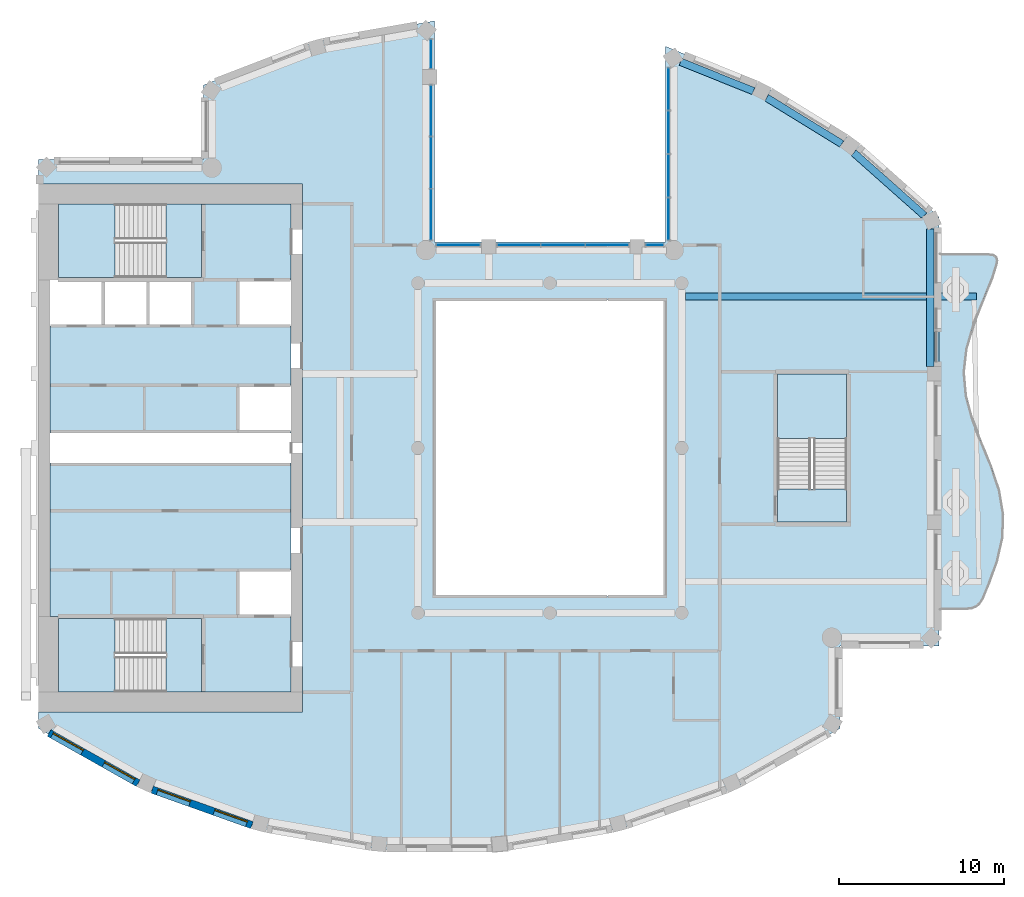
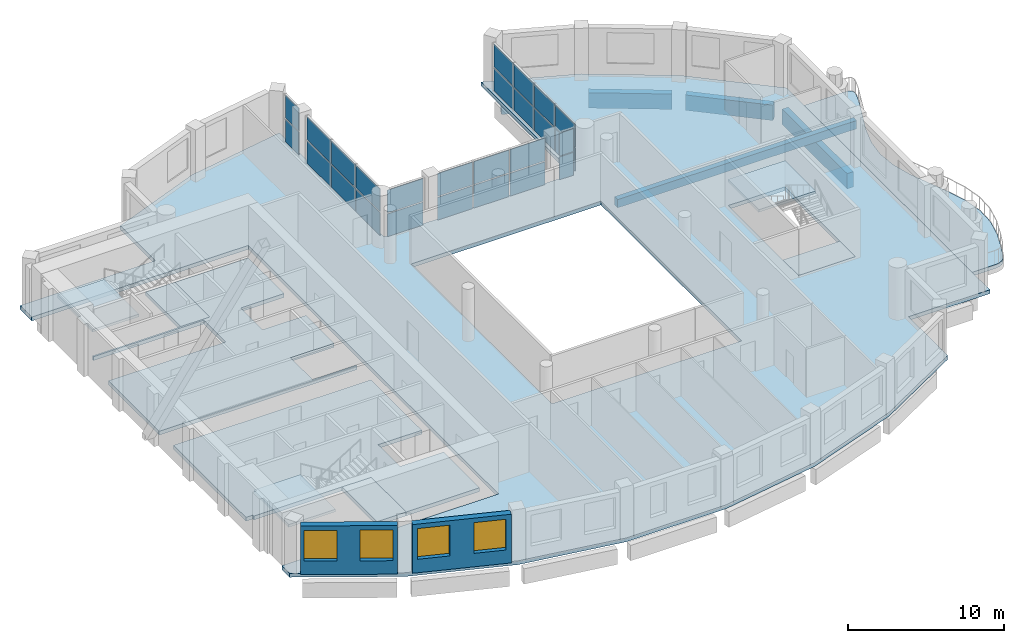
# One storey, part 3 of 15: 26 plates, 10 slabs, 5 beams, 4 windows, 2 walls, 4 openings, 9 elements without a shape of their own.
"""IFC4 building model written with IfcOpenShell, lengths in metres."""

import ifcopenshell
import ifcopenshell.guid

model = None  # the IFC model being written
_history = None  # IfcOwnerHistory: only IFC2X3 demands one
_inside = {}  # id of a spatial element -> (the spatial element, [elements in it])
_under = {}  # id of a project, library or spatial element -> (it, [spatial elements below it])
_declared = {}  # id of a project -> (the project, [libraries it declares])
_typed = {}  # id of a type object -> (the type object, [elements of that type])
_made_of = {}  # id of a material, layer set ... -> (it, [elements and type objects made of it])


def new_model(schema):
    """Start an empty IFC model of exactly this schema.

    Asked for "IFC4X3", IfcOpenShell would pick the latest addendum, in which some entities
    have other attributes; the version numbers below select the first issue.
    IFC2X3 requires an IfcOwnerHistory on every rooted entity: one is made here for all.
    """
    global model, _history
    if schema == "IFC4X3":
        model = ifcopenshell.file(schema_version=(4, 3, 0, 0))
    else:
        model = ifcopenshell.file(schema=schema)
    _inside.clear()
    _under.clear()
    _declared.clear()
    _typed.clear()
    _made_of.clear()
    _history = None
    if model.schema == "IFC2X3":
        org = make("IfcOrganization", Name="unknown")
        user = make(
            "IfcPersonAndOrganization",
            ThePerson=make("IfcPerson", FamilyName="unknown"),
            TheOrganization=org,
        )
        app = make(
            "IfcApplication",
            ApplicationDeveloper=org,
            Version="unknown",
            ApplicationFullName="unknown",
            ApplicationIdentifier="unknown",
        )
        _history = make(
            "IfcOwnerHistory",
            OwningUser=user,
            OwningApplication=app,
            ChangeAction="ADDED",
            CreationDate=0,
        )
    return model


def make(cls, **values):
    """One entity of the class cls with the attributes given. An attribute that is None is left unset."""
    return model.create_entity(
        cls, **{name: value for name, value in values.items() if value is not None}
    )


def rooted(cls, **values):
    """An entity with a GlobalId (a new one), such as an element, a storey or a relation."""
    return make(cls, GlobalId=ifcopenshell.guid.new(), OwnerHistory=_history, **values)


def si_unit(unit_type, name, prefix=None):
    """IfcSIUnit, for example si_unit("LENGTHUNIT", "METRE", prefix="MILLI")."""
    return make("IfcSIUnit", UnitType=unit_type, Prefix=prefix, Name=name)


def assignment(units):
    """IfcUnitAssignment: the units of a project."""
    return None if units is None else make("IfcUnitAssignment", Units=units)


def point(xyz):
    """IfcCartesianPoint."""
    return None if xyz is None else make("IfcCartesianPoint", Coordinates=xyz)


def direction(xyz):
    """IfcDirection."""
    return None if xyz is None else make("IfcDirection", DirectionRatios=xyz)


def frame(location, z_axis=None, x_axis=None):
    """IfcAxis2Placement3D, a coordinate frame: its origin and axes. An axis left out is left unset."""
    return make(
        "IfcAxis2Placement3D",
        Location=point(location),
        Axis=direction(z_axis),
        RefDirection=direction(x_axis),
    )


def frame_2d(location, x_axis=None):
    """IfcAxis2Placement2D, a coordinate frame in the plane: its origin and x axis."""
    return make(
        "IfcAxis2Placement2D", Location=point(location), RefDirection=direction(x_axis)
    )


def origin():
    """The frame at (0, 0, 0) with its axes left unset."""
    return frame((0.0, 0.0, 0.0))


def origin_2d():
    """The frame at (0, 0) in the plane with its x axis left unset."""
    return frame_2d((0.0, 0.0))


def place(relative_to, where):
    """IfcLocalPlacement: puts the frame where relative to a parent placement (None: the world)."""
    return make(
        "IfcLocalPlacement", PlacementRelTo=relative_to, RelativePlacement=where
    )


def context(
    kind, dimensions, precision=None, world=None, true_north=None, identifier=None
):
    """IfcGeometricRepresentationContext, for example the 3D "Model" context."""
    return make(
        "IfcGeometricRepresentationContext",
        ContextIdentifier=identifier,
        ContextType=kind,
        CoordinateSpaceDimension=dimensions,
        Precision=precision,
        WorldCoordinateSystem=world,
        TrueNorth=true_north,
    )


def subcontext(parent, identifier, kind, view, scale=None):
    """IfcGeometricRepresentationSubContext, for example "Body" below "Model"."""
    return make(
        "IfcGeometricRepresentationSubContext",
        ContextIdentifier=identifier,
        ContextType=kind,
        ParentContext=parent,
        TargetScale=scale,
        TargetView=view,
    )


def project(units=None, contexts=None):
    """IfcProject with its units and contexts."""
    return rooted(
        "IfcProject",
        Name="project",
        RepresentationContexts=contexts,
        UnitsInContext=assignment(units),
    )


def spatial(cls, under=None, at=None, **own):
    """A site, building, storey or space (cls), placed at a placement, below another one or the project."""
    s = rooted(cls, ObjectPlacement=at, **own)
    if under is not None:
        _under.setdefault(under.id(), (under, []))[1].append(s)
    return s


def polyline(points):
    """IfcPolyline through the points."""
    return make("IfcPolyline", Points=[point(p) for p in points])


def profile(cls, at=None, kind="AREA", **sizes):
    """A parametric profile (cls). Its sizes go by their IFC names, for example OverallWidth=200.0."""
    return make(cls, ProfileType=kind, Position=at, **sizes)


def rectangle(**sizes):
    """IfcRectangleProfileDef."""
    return profile("IfcRectangleProfileDef", **sizes)


def outline(outer, holes=None, kind="AREA"):
    """IfcArbitraryClosedProfileDef: a profile drawn as a closed curve; with holes, ...WithVoids."""
    if holes is None:
        return make("IfcArbitraryClosedProfileDef", ProfileType=kind, OuterCurve=outer)
    return make(
        "IfcArbitraryProfileDefWithVoids",
        ProfileType=kind,
        OuterCurve=outer,
        InnerCurves=holes,
    )


def extrude(swept, where, along, depth):
    """IfcExtrudedAreaSolid: the profile swept, set in the frame where, extruded along a direction by depth."""
    return make(
        "IfcExtrudedAreaSolid",
        SweptArea=swept,
        Position=where,
        ExtrudedDirection=direction(along),
        Depth=depth,
    )


def shape(context_of_items, identifier, shape_type, items):
    """IfcShapeRepresentation: the items that make up one representation, for example the "Body"."""
    return make(
        "IfcShapeRepresentation",
        ContextOfItems=context_of_items,
        RepresentationIdentifier=identifier,
        RepresentationType=shape_type,
        Items=items,
    )


def material(Name=None, Category=None):
    """IfcMaterial."""
    return make("IfcMaterial", Name=Name, Category=Category)


def layer(
    of_material, thickness, ventilated=None, Name=None, Category=None, Priority=None
):
    """IfcMaterialLayer: one layer of a wall or slab, of a material (None: an air gap)."""
    return make(
        "IfcMaterialLayer",
        Material=of_material,
        LayerThickness=thickness,
        IsVentilated=ventilated,
        Name=Name,
        Category=Category,
        Priority=Priority,
    )


def layer_set(layers, Name=None):
    """IfcMaterialLayerSet."""
    return make("IfcMaterialLayerSet", MaterialLayers=layers, LayerSetName=Name)


def material_profile(
    of_material, cross_section, Name=None, Category=None, Priority=None
):
    """IfcMaterialProfile: a cross section and its material."""
    return make(
        "IfcMaterialProfile",
        Name=Name,
        Material=of_material,
        Profile=cross_section,
        Priority=Priority,
        Category=Category,
    )


def profile_set(profiles, Name=None, composite=None):
    """IfcMaterialProfileSet."""
    return make(
        "IfcMaterialProfileSet",
        Name=Name,
        MaterialProfiles=profiles,
        CompositeProfile=composite,
    )


def made_of(thing, what):
    """Note that an element or type object is made of a material, layer set ...; save() writes the relation."""
    if what is not None:
        _made_of.setdefault(what.id(), (what, []))[1].append(thing)
    return thing


def type_object(cls, material=None, **own):
    """A type object (cls), such as IfcWallType, which elements share."""
    return made_of(rooted(cls, **own), material)


def element(
    cls,
    number,
    at=None,
    inside=None,
    cuts=None,
    type_object=None,
    material=None,
    context=None,
    identifier="Body",
    shape_type=None,
    held_by="IfcProductDefinitionShape",
    body=None,
    shapes=None,
    **own,
):
    """One element of the class cls, such as IfcWall. Its Tag is "e" and its number.

    at: its placement. inside: the storey or other place that contains it. cuts: it is an
    opening in that element (IfcRelVoidsElement). A single representation is given by context,
    identifier, shape_type and body (its items); several are given by shapes. held_by: the class
    of the entity that holds the representations. save() writes the other relations.
    """
    e = rooted(cls, Tag="e%d" % number, ObjectPlacement=at, **own)
    if body is not None:
        shapes = [shape(context, identifier, shape_type, body)]
    if shapes is not None:
        e.Representation = make(held_by, Representations=shapes)
    if inside is not None:
        _inside.setdefault(inside.id(), (inside, []))[1].append(e)
    if cuts is not None:
        rooted(
            "IfcRelVoidsElement", RelatingBuildingElement=cuts, RelatedOpeningElement=e
        )
    if type_object is not None:
        _typed.setdefault(type_object.id(), (type_object, []))[1].append(e)
    return made_of(e, material)


def fill(opening, filler):
    """IfcRelFillsElement: the door or window that sits in an opening."""
    return rooted(
        "IfcRelFillsElement",
        RelatingOpeningElement=opening,
        RelatedBuildingElement=filler,
    )


def aggregate(whole, parts):
    """IfcRelAggregates: a whole, such as a stair, and the parts it consists of."""
    return rooted("IfcRelAggregates", RelatingObject=whole, RelatedObjects=parts)


def save(model, path):
    """Write the relations noted so far, then the file.

    IfcRelAggregates (storeys below a building ...), IfcRelContainedInSpatialStructure (elements
    in a storey), IfcRelDefinesByType, IfcRelAssociatesMaterial and IfcRelDeclares: one each for
    every whole, place, type object, material and project.
    """
    for whole, parts in _under.values():
        aggregate(whole, parts)
    for where, things in _inside.values():
        rooted(
            "IfcRelContainedInSpatialStructure",
            RelatedElements=things,
            RelatingStructure=where,
        )
    for kind, things in _typed.values():
        rooted("IfcRelDefinesByType", RelatedObjects=things, RelatingType=kind)
    for what, things in _made_of.values():
        rooted("IfcRelAssociatesMaterial", RelatedObjects=things, RelatingMaterial=what)
    for by, libraries in _declared.values():
        rooted("IfcRelDeclares", RelatingContext=by, RelatedDefinitions=libraries)
    model.write(path)


model = new_model("IFC4")

# Units and contexts
model_context = context("Model", 3, precision=1e-05, world=origin(), true_north=direction((0.0, 1.0)))
body_context = subcontext(model_context, "Body", "Model", "MODEL_VIEW")
ifc_project = project(units=[si_unit("LENGTHUNIT", "METRE"), si_unit("AREAUNIT", "SQUARE_METRE"), si_unit("VOLUMEUNIT", "CUBIC_METRE"), si_unit("PLANEANGLEUNIT", "RADIAN"), si_unit("MASSUNIT", "GRAM", prefix="KILO")], contexts=[model_context])

# Site, building, storey
site_placement = place(None, origin())
site = spatial("IfcSite", under=ifc_project, at=site_placement, CompositionType="ELEMENT")
building_placement = place(site_placement, origin())
building = spatial("IfcBuilding", under=site, at=building_placement, Name="Cypress Arch Tower", CompositionType="ELEMENT")
storey_placement = place(building_placement, frame((0.0, 0.0, 313.10009765625)))
storey = spatial("IfcBuildingStorey", under=building, at=storey_placement, Name="L71", CompositionType="ELEMENT", Elevation=313.10009765625)

# Beams
ifc_material_1 = material(Name="Concrete C50/60", Category="concrete")
ifc_material_profile_1 = material_profile(ifc_material_1, rectangle(XDim=0.39990234375, YDim=0.64990234375, at=origin_2d()), Name="RC 400x650")
ifc_profile_set_1 = profile_set([ifc_material_profile_1], Name="Concrete C50/60")
beam_type_1 = type_object("IfcBeamType", Name="Cantilever beam RC 400x650 Concrete C50/60", PredefinedType="BEAM", material=ifc_profile_set_1)
beam_1_placement = place(storey_placement, frame((9.22509765625, 9.1826171875, -0.625), z_axis=(1.0, 0.0, 0.0), x_axis=(0.0, 1.0, 0.0)))
element("IfcBeam", 1, at=beam_1_placement, inside=storey, type_object=beam_type_1, Name="Cantilever beam L71 C17 2", PredefinedType="BEAM", context=body_context, shape_type="SweptSolid", body=[
    extrude(rectangle(XDim=0.39990234375, YDim=0.64990234375, at=origin_2d()), origin(), (0.0, 0.0, 1.0), 17.6474609375),
])
ifc_material_2 = material(Name="Concrete C50/60", Category="concrete")
ifc_material_profile_2 = material_profile(ifc_material_2, rectangle(XDim=0.449951171875, YDim=1.199951171875, at=origin_2d()), Name="RC 450x1200")
ifc_profile_set_2 = profile_set([ifc_material_profile_2], Name="Concrete C50/60")
beam_type_2 = type_object("IfcBeamType", Name="Spandrel beam RC 450x1200 Concrete C50/60", PredefinedType="SPANDREL", material=ifc_profile_set_2)
beam_2_placement = place(storey_placement, frame((24.074951171875, 4.949951171875, -1.550048828125), z_axis=(0.0, 1.0, 0.0), x_axis=(-1.0, 0.0, 0.0)))
element("IfcBeam", 2, at=beam_2_placement, inside=storey, type_object=beam_type_2, Name="Spandrel beam L71 BC17-2", PredefinedType="SPANDREL", context=body_context, shape_type="SweptSolid", body=[
    extrude(rectangle(XDim=0.449951171875, YDim=1.199951171875, at=origin_2d()), origin(), (0.0, 0.0, 1.0), 8.32080078125),
])
beam_3_placement = place(storey_placement, frame((23.706298828125, 14.091796875, -1.550048828125), z_axis=(-0.747555073917, 0.664199827959, 0.0), x_axis=(-0.664199827959, -0.747555073917, 0.0)))
element("IfcBeam", 3, at=beam_3_placement, inside=storey, type_object=beam_type_2, Name="Spandrel beam L71 BC18-0", PredefinedType="SPANDREL", context=body_context, shape_type="SweptSolid", body=[
    extrude(rectangle(XDim=0.449951171875, YDim=1.199951171875, at=origin_2d()), origin(), (0.0, 0.0, 1.0), 5.72900390625),
])
beam_4_placement = place(storey_placement, frame((18.700927734375, 18.43359375, -1.550048828125), z_axis=(-0.851880940975, 0.523735488966, 0.0), x_axis=(-0.523735488966, -0.851880940975, 0.0)))
element("IfcBeam", 4, at=beam_4_placement, inside=storey, type_object=beam_type_2, Name="Spandrel beam L71 BC19-0", PredefinedType="SPANDREL", context=body_context, shape_type="SweptSolid", body=[
    extrude(rectangle(XDim=0.449951171875, YDim=1.199951171875, at=origin_2d()), origin(), (0.0, 0.0, 1.0), 5.344970703125),
])
beam_5_placement = place(storey_placement, frame((13.343994140625, 21.6376953125, -1.550048828125), z_axis=(-0.927944947452, 0.372717284948, 0.0), x_axis=(-0.372717284948, -0.927944947452, 0.0)))
element("IfcBeam", 5, at=beam_5_placement, inside=storey, type_object=beam_type_2, Name="Spandrel beam L71 BC20-0", PredefinedType="SPANDREL", context=body_context, shape_type="SweptSolid", body=[
    extrude(rectangle(XDim=0.449951171875, YDim=1.199951171875, at=origin_2d()), origin(), (0.0, 0.0, 1.0), 4.758056640625),
])

# Slabs
ifc_material_3 = material(Name="Concrete C40/50", Category="concrete")
ifc_layer_1 = layer(ifc_material_3, 0.300048828125)
ifc_layer_set_1 = layer_set([ifc_layer_1], Name="Balcony slab BS300")
slab_type_1 = type_object("IfcSlabType", Name="Balcony slab BS300", PredefinedType="USERDEFINED", material=ifc_layer_set_1)
slab_1_placement = place(storey_placement, frame((0.0, 0.0, -0.300048828125)))
element("IfcSlab", 6, at=slab_1_placement, inside=storey, type_object=slab_type_1, Name="Balcony slab L71-C17", ObjectType="BALCONY SLAB", PredefinedType="USERDEFINED", context=body_context, shape_type="SweptSolid", body=[
    extrude(outline(polyline([(24.60009765625, -9.75), (26.291259765625, -9.75), (26.61328125, -9.709716796875), (26.881591796875, -9.5888671875), (27.09619140625, -9.38720703125), (27.2568359375, -9.10498046875), (27.58349609375, -8.316650390625), (28.108154296875, -6.88330078125), (28.4345703125, -5.449951171875), (28.48291015625, -4.0166015625), (28.2412109375, -2.583251953125), (27.768798828125, -1.14990234375), (27.181396484375, 0.283447265625), (26.623291015625, 1.716552734375), (26.230712890625, 3.14990234375), (26.1005859375, 4.583251953125), (26.26416015625, 6.0166015625), (26.681884765625, 7.449951171875), (27.251220703125, 8.88330078125), (27.832275390625, 10.316650390625), (28.080078125, 11.10498046875), (28.126708984375, 11.38720703125), (28.063232421875, 11.5888671875), (27.889892578125, 11.709716796875), (27.60693359375, 11.75), (24.60009765625, 11.75), (24.60009765625, -9.75)])), origin(), (0.0, 0.0, 1.0), 0.300048828125),
])
ifc_material_4 = material(Name="Concrete C40/50", Category="concrete")
ifc_layer_2 = layer(ifc_material_4, 0.300048828125)
ifc_layer_set_2 = layer_set([ifc_layer_2], Name="Core floor CF300")
slab_type_2 = type_object("IfcSlabType", Name="Core floor CF300", PredefinedType="FLOOR", material=ifc_layer_set_2)
slab_2_placement = place(storey_placement, frame((0.0, 0.0, -0.300048828125)))
element("IfcSlab", 7, at=slab_2_placement, inside=storey, type_object=slab_type_2, Name="Core floor", PredefinedType="FLOOR", context=body_context, shape_type="SweptSolid", body=[
    extrude(outline(polyline([(-28.89990234375, -10.199951171875), (-29.300048828125, -10.199951171875), (-29.300048828125, -0.89990234375), (-28.89990234375, -0.89990234375), (-15.10009765625, -0.89990234375), (-14.699951171875, -0.89990234375), (-14.699951171875, -7.39990234375), (-15.10009765625, -7.39990234375), (-17.919921875, -7.39990234375), (-17.919921875, -10.199951171875), (-15.10009765625, -10.199951171875), (-14.699951171875, -10.199951171875), (-14.699951171875, -14.800048828125), (-15.10009765625, -14.800048828125), (-20.125, -14.800048828125), (-20.125, -10.324951171875), (-22.27490234375, -10.324951171875), (-28.800048828125, -10.324951171875), (-28.800048828125, -10.199951171875), (-28.89990234375, -10.199951171875)])), origin(), (0.0, 0.0, 1.0), 0.300048828125),
])
slab_3_placement = place(storey_placement, frame((0.0, 0.0, -0.300048828125)))
element("IfcSlab", 8, at=slab_3_placement, inside=storey, type_object=slab_type_2, Name="Core floor", PredefinedType="FLOOR", context=body_context, shape_type="SweptSolid", body=[
    extrude(outline(polyline([(-22.27490234375, -10.324951171875), (-22.27490234375, -14.800048828125), (-20.125, -14.800048828125), (-20.125, -10.324951171875), (-22.27490234375, -10.324951171875)])), origin(), (0.0, 0.0, 1.0), 0.300048828125),
])
slab_4_placement = place(storey_placement, frame((0.0, 0.0, -0.300048828125)))
element("IfcSlab", 9, at=slab_4_placement, inside=storey, type_object=slab_type_2, Name="Core floor", PredefinedType="FLOOR", context=body_context, shape_type="SweptSolid", body=[
    extrude(outline(polyline([(-20.125, 14.800048828125), (-22.27490234375, 14.800048828125), (-22.27490234375, 10.324951171875), (-20.125, 10.324951171875), (-20.125, 14.800048828125)])), origin(), (0.0, 0.0, 1.0), 0.300048828125),
])
slab_5_placement = place(storey_placement, frame((0.0, 0.0, -0.300048828125)))
element("IfcSlab", 10, at=slab_5_placement, inside=storey, type_object=slab_type_2, Name="Stair floor landing", PredefinedType="FLOOR", context=body_context, shape_type="SweptSolid", body=[
    extrude(outline(polyline([(19.0, -4.5), (19.0, -2.5), (14.800048828125, -2.5), (14.800048828125, -4.5), (19.0, -4.5)])), origin(), (0.0, 0.0, 1.0), 0.300048828125),
])
slab_6_placement = place(storey_placement, frame((0.0, 0.0, -0.300048828125)))
element("IfcSlab", 11, at=slab_6_placement, inside=storey, type_object=slab_type_2, Name="Core floor", PredefinedType="FLOOR", context=body_context, shape_type="SweptSolid", body=[
    extrude(outline(polyline([(-20.639892578125, 10.199951171875), (-23.360107421875, 10.199951171875), (-26.080078125, 10.199951171875), (-28.800048828125, 10.199951171875), (-28.800048828125, 10.324951171875), (-22.27490234375, 10.324951171875), (-20.125, 10.324951171875), (-20.125, 14.800048828125), (-15.10009765625, 14.800048828125), (-14.699951171875, 14.800048828125), (-14.699951171875, 10.199951171875), (-15.10009765625, 10.199951171875), (-17.919921875, 10.199951171875), (-17.919921875, 7.39990234375), (-15.10009765625, 7.39990234375), (-14.699951171875, 7.39990234375), (-14.699951171875, 3.800048828125), (-15.10009765625, 3.800048828125), (-17.919921875, 3.800048828125), (-17.919921875, 1.5), (-17.919921875, 1.0), (-17.5, 1.0), (-15.10009765625, 1.0), (-14.699951171875, 1.0), (-14.699951171875, 0.89990234375), (-15.10009765625, 0.89990234375), (-17.5, 0.89990234375), (-18.300048828125, 0.89990234375), (-28.89990234375, 0.89990234375), (-29.300048828125, 0.89990234375), (-29.300048828125, 1.5), (-29.300048828125, 7.39990234375), (-28.89990234375, 7.39990234375), (-26.080078125, 7.39990234375), (-23.360107421875, 7.39990234375), (-20.639892578125, 7.39990234375), (-20.639892578125, 10.199951171875)])), origin(), (0.0, 0.0, 1.0), 0.300048828125),
])

# Curtain wall, plates
ifc_material_5 = material(Name="Anodised aluminium, bronze finish, clear laminated double glazing", Category="aluminium")
curtain_wall_type = type_object("IfcCurtainWallType", Name="Curtain wall CW7 slot glazing", PredefinedType="NOTDEFINED", material=ifc_material_5)
curtain_wall_1_placement = place(storey_placement, origin())
curtain_wall_1 = element("IfcCurtainWall", 12, at=curtain_wall_1_placement, inside=storey, type_object=curtain_wall_type, Name="Curtain wall L71 slot C00.0", PredefinedType="NOTDEFINED")
ifc_material_6 = material(Name="Clear laminated double glazing", Category="glass")
ifc_layer_3 = layer(ifc_material_6, 0.0439453125)
ifc_layer_set_3 = layer_set([ifc_layer_3], Name="Glass panel CW7 44")
plate_type = type_object("IfcPlateType", Name="Glass panel CW7 44", PredefinedType="CURTAIN_PANEL", material=ifc_layer_set_3)
plate_1_placement = place(storey_placement, frame((8.199951171875, 21.76220703125, 0.0849609375), z_axis=(0.0, 0.0, 1.0), x_axis=(0.0, -1.0, 0.0)))
plate_1 = element("IfcPlate", 13, at=plate_1_placement, type_object=plate_type, Name="CW7 panel 1.1", PredefinedType="CURTAIN_PANEL", context=body_context, shape_type="SweptSolid", body=[
    extrude(rectangle(XDim=2.510986328125, YDim=0.0439453125, at=origin_2d()), origin(), (0.0, 0.0, 1.0), 1.7724609375),
])
plate_2_placement = place(storey_placement, frame((8.199951171875, 21.76220703125, 1.9423828125), z_axis=(0.0, 0.0, 1.0), x_axis=(0.0, -1.0, 0.0)))
plate_2 = element("IfcPlate", 14, at=plate_2_placement, type_object=plate_type, Name="CW7 panel 1.2", PredefinedType="CURTAIN_PANEL", context=body_context, shape_type="SweptSolid", body=[
    extrude(rectangle(XDim=2.510986328125, YDim=0.0439453125, at=origin_2d()), origin(), (0.0, 0.0, 1.0), 1.7724609375),
])
plate_3_placement = place(storey_placement, frame((8.199951171875, 19.144775390625, 0.0849609375), z_axis=(0.0, 0.0, 1.0), x_axis=(0.0, -1.0, 0.0)))
plate_3 = element("IfcPlate", 15, at=plate_3_placement, type_object=plate_type, Name="CW7 panel 2.1", PredefinedType="CURTAIN_PANEL", context=body_context, shape_type="SweptSolid", body=[
    extrude(rectangle(XDim=2.553466796875, YDim=0.0439453125, at=origin_2d()), origin(), (0.0, 0.0, 1.0), 1.7724609375),
])
plate_4_placement = place(storey_placement, frame((8.199951171875, 19.144775390625, 1.9423828125), z_axis=(0.0, 0.0, 1.0), x_axis=(0.0, -1.0, 0.0)))
plate_4 = element("IfcPlate", 16, at=plate_4_placement, type_object=plate_type, Name="CW7 panel 2.2", PredefinedType="CURTAIN_PANEL", context=body_context, shape_type="SweptSolid", body=[
    extrude(rectangle(XDim=2.553466796875, YDim=0.0439453125, at=origin_2d()), origin(), (0.0, 0.0, 1.0), 1.7724609375),
])
plate_5_placement = place(storey_placement, frame((8.199951171875, 16.50634765625, 0.0849609375), z_axis=(0.0, 0.0, 1.0), x_axis=(0.0, -1.0, 0.0)))
plate_5 = element("IfcPlate", 17, at=plate_5_placement, type_object=plate_type, Name="CW7 panel 3.1", PredefinedType="CURTAIN_PANEL", context=body_context, shape_type="SweptSolid", body=[
    extrude(rectangle(XDim=2.553466796875, YDim=0.0439453125, at=origin_2d()), origin(), (0.0, 0.0, 1.0), 1.7724609375),
])
plate_6_placement = place(storey_placement, frame((8.199951171875, 16.50634765625, 1.9423828125), z_axis=(0.0, 0.0, 1.0), x_axis=(0.0, -1.0, 0.0)))
plate_6 = element("IfcPlate", 18, at=plate_6_placement, type_object=plate_type, Name="CW7 panel 3.2", PredefinedType="CURTAIN_PANEL", context=body_context, shape_type="SweptSolid", body=[
    extrude(rectangle(XDim=2.553466796875, YDim=0.0439453125, at=origin_2d()), origin(), (0.0, 0.0, 1.0), 1.7724609375),
])
plate_7_placement = place(storey_placement, frame((8.199951171875, 13.888916015625, 0.0849609375), z_axis=(0.0, 0.0, 1.0), x_axis=(0.0, -1.0, 0.0)))
plate_7 = element("IfcPlate", 19, at=plate_7_placement, type_object=plate_type, Name="CW7 panel 4.1", PredefinedType="CURTAIN_PANEL", context=body_context, shape_type="SweptSolid", body=[
    extrude(rectangle(XDim=2.510986328125, YDim=0.0439453125, at=origin_2d()), origin(), (0.0, 0.0, 1.0), 1.7724609375),
])
plate_8_placement = place(storey_placement, frame((8.199951171875, 13.888916015625, 1.9423828125), z_axis=(0.0, 0.0, 1.0), x_axis=(0.0, -1.0, 0.0)))
plate_8 = element("IfcPlate", 20, at=plate_8_placement, type_object=plate_type, Name="CW7 panel 4.2", PredefinedType="CURTAIN_PANEL", context=body_context, shape_type="SweptSolid", body=[
    extrude(rectangle(XDim=2.510986328125, YDim=0.0439453125, at=origin_2d()), origin(), (0.0, 0.0, 1.0), 1.7724609375),
])
aggregate(curtain_wall_1, [plate_1, plate_2, plate_3, plate_4, plate_5, plate_6, plate_7, plate_8])

curtain_wall_2_placement = place(storey_placement, origin())
curtain_wall_2 = element("IfcCurtainWall", 21, at=curtain_wall_2_placement, inside=storey, type_object=curtain_wall_type, Name="Curtain wall L71 slot C01.0", PredefinedType="NOTDEFINED")
plate_9_placement = place(storey_placement, frame((7.350830078125, 12.300048828125, 0.0849609375), z_axis=(0.0, 0.0, 1.0), x_axis=(-1.0, 0.0, 0.0)))
plate_9 = element("IfcPlate", 22, at=plate_9_placement, type_object=plate_type, Name="CW7 panel 1.1", PredefinedType="CURTAIN_PANEL", context=body_context, shape_type="SweptSolid", body=[
    extrude(rectangle(XDim=1.031494140625, YDim=0.0439453125, at=origin_2d()), origin(), (0.0, 0.0, 1.0), 1.7724609375),
])
plate_10_placement = place(storey_placement, frame((7.350830078125, 12.300048828125, 1.9423828125), z_axis=(0.0, 0.0, 1.0), x_axis=(-1.0, 0.0, 0.0)))
plate_10 = element("IfcPlate", 23, at=plate_10_placement, type_object=plate_type, Name="CW7 panel 1.2", PredefinedType="CURTAIN_PANEL", context=body_context, shape_type="SweptSolid", body=[
    extrude(rectangle(XDim=1.031494140625, YDim=0.0439453125, at=origin_2d()), origin(), (0.0, 0.0, 1.0), 1.7724609375),
])
aggregate(curtain_wall_2, [plate_9, plate_10])

curtain_wall_3_placement = place(storey_placement, origin())
curtain_wall_3 = element("IfcCurtainWall", 24, at=curtain_wall_3_placement, inside=storey, type_object=curtain_wall_type, Name="Curtain wall L71 slot C01.1", PredefinedType="NOTDEFINED")
plate_11_placement = place(storey_placement, frame((4.478759765625, 12.300048828125, 0.0849609375), z_axis=(0.0, 0.0, 1.0), x_axis=(-1.0, 0.0, 0.0)))
plate_11 = element("IfcPlate", 25, at=plate_11_placement, type_object=plate_type, Name="CW7 panel 1.1", PredefinedType="CURTAIN_PANEL", context=body_context, shape_type="SweptSolid", body=[
    extrude(rectangle(XDim=2.572509765625, YDim=0.0439453125, at=origin_2d()), origin(), (0.0, 0.0, 1.0), 1.7724609375),
])
plate_12_placement = place(storey_placement, frame((4.478759765625, 12.300048828125, 1.9423828125), z_axis=(0.0, 0.0, 1.0), x_axis=(-1.0, 0.0, 0.0)))
plate_12 = element("IfcPlate", 26, at=plate_12_placement, type_object=plate_type, Name="CW7 panel 1.2", PredefinedType="CURTAIN_PANEL", context=body_context, shape_type="SweptSolid", body=[
    extrude(rectangle(XDim=2.572509765625, YDim=0.0439453125, at=origin_2d()), origin(), (0.0, 0.0, 1.0), 1.7724609375),
])
plate_13_placement = place(storey_placement, frame((1.800048828125, 12.300048828125, 0.0849609375), z_axis=(0.0, 0.0, 1.0), x_axis=(-1.0, 0.0, 0.0)))
plate_13 = element("IfcPlate", 27, at=plate_13_placement, type_object=plate_type, Name="CW7 panel 2.1", PredefinedType="CURTAIN_PANEL", context=body_context, shape_type="SweptSolid", body=[
    extrude(rectangle(XDim=2.614990234375, YDim=0.0439453125, at=origin_2d()), origin(), (0.0, 0.0, 1.0), 1.7724609375),
])
plate_14_placement = place(storey_placement, frame((1.800048828125, 12.300048828125, 1.9423828125), z_axis=(0.0, 0.0, 1.0), x_axis=(-1.0, 0.0, 0.0)))
plate_14 = element("IfcPlate", 28, at=plate_14_placement, type_object=plate_type, Name="CW7 panel 2.2", PredefinedType="CURTAIN_PANEL", context=body_context, shape_type="SweptSolid", body=[
    extrude(rectangle(XDim=2.614990234375, YDim=0.0439453125, at=origin_2d()), origin(), (0.0, 0.0, 1.0), 1.7724609375),
])
plate_15_placement = place(storey_placement, frame((-0.878662109375, 12.300048828125, 0.0849609375), z_axis=(0.0, 0.0, 1.0), x_axis=(-1.0, 0.0, 0.0)))
plate_15 = element("IfcPlate", 29, at=plate_15_placement, type_object=plate_type, Name="CW7 panel 3.1", PredefinedType="CURTAIN_PANEL", context=body_context, shape_type="SweptSolid", body=[
    extrude(rectangle(XDim=2.572509765625, YDim=0.0439453125, at=origin_2d()), origin(), (0.0, 0.0, 1.0), 1.7724609375),
])
plate_16_placement = place(storey_placement, frame((-0.878662109375, 12.300048828125, 1.9423828125), z_axis=(0.0, 0.0, 1.0), x_axis=(-1.0, 0.0, 0.0)))
plate_16 = element("IfcPlate", 30, at=plate_16_placement, type_object=plate_type, Name="CW7 panel 3.2", PredefinedType="CURTAIN_PANEL", context=body_context, shape_type="SweptSolid", body=[
    extrude(rectangle(XDim=2.572509765625, YDim=0.0439453125, at=origin_2d()), origin(), (0.0, 0.0, 1.0), 1.7724609375),
])
aggregate(curtain_wall_3, [plate_11, plate_12, plate_13, plate_14, plate_15, plate_16])

curtain_wall_4_placement = place(storey_placement, origin())
curtain_wall_4 = element("IfcCurtainWall", 31, at=curtain_wall_4_placement, inside=storey, type_object=curtain_wall_type, Name="Curtain wall L71 slot C01.2", PredefinedType="NOTDEFINED")
plate_17_placement = place(storey_placement, frame((-4.55078125, 12.300048828125, 0.0849609375), z_axis=(0.0, 0.0, 1.0), x_axis=(-1.0, 0.0, 0.0)))
plate_17 = element("IfcPlate", 32, at=plate_17_placement, type_object=plate_type, Name="CW7 panel 1.1", PredefinedType="CURTAIN_PANEL", context=body_context, shape_type="SweptSolid", body=[
    extrude(rectangle(XDim=2.631591796875, YDim=0.0439453125, at=origin_2d()), origin(), (0.0, 0.0, 1.0), 1.7724609375),
])
plate_18_placement = place(storey_placement, frame((-4.55078125, 12.300048828125, 1.9423828125), z_axis=(0.0, 0.0, 1.0), x_axis=(-1.0, 0.0, 0.0)))
plate_18 = element("IfcPlate", 33, at=plate_18_placement, type_object=plate_type, Name="CW7 panel 1.2", PredefinedType="CURTAIN_PANEL", context=body_context, shape_type="SweptSolid", body=[
    extrude(rectangle(XDim=2.631591796875, YDim=0.0439453125, at=origin_2d()), origin(), (0.0, 0.0, 1.0), 1.7724609375),
])
aggregate(curtain_wall_4, [plate_17, plate_18])

curtain_wall_5_placement = place(storey_placement, origin())
curtain_wall_5 = element("IfcCurtainWall", 34, at=curtain_wall_5_placement, inside=storey, type_object=curtain_wall_type, Name="Curtain wall L71 slot C02.0", PredefinedType="NOTDEFINED")
plate_19_placement = place(storey_placement, frame((-6.199951171875, 14.1533203125, 0.0849609375), z_axis=(0.0, 0.0, 1.0), x_axis=(0.0, 1.0, 0.0)))
plate_19 = element("IfcPlate", 35, at=plate_19_placement, type_object=plate_type, Name="CW7 panel 1.1", PredefinedType="CURTAIN_PANEL", context=body_context, shape_type="SweptSolid", body=[
    extrude(rectangle(XDim=3.039794921875, YDim=0.0439453125, at=origin_2d()), origin(), (0.0, 0.0, 1.0), 1.7724609375),
])
plate_20_placement = place(storey_placement, frame((-6.199951171875, 14.1533203125, 1.9423828125), z_axis=(0.0, 0.0, 1.0), x_axis=(0.0, 1.0, 0.0)))
plate_20 = element("IfcPlate", 36, at=plate_20_placement, type_object=plate_type, Name="CW7 panel 1.2", PredefinedType="CURTAIN_PANEL", context=body_context, shape_type="SweptSolid", body=[
    extrude(rectangle(XDim=3.039794921875, YDim=0.0439453125, at=origin_2d()), origin(), (0.0, 0.0, 1.0), 1.7724609375),
])
plate_21_placement = place(storey_placement, frame((-6.199951171875, 17.29931640625, 0.0849609375), z_axis=(0.0, 0.0, 1.0), x_axis=(0.0, 1.0, 0.0)))
plate_21 = element("IfcPlate", 37, at=plate_21_placement, type_object=plate_type, Name="CW7 panel 2.1", PredefinedType="CURTAIN_PANEL", context=body_context, shape_type="SweptSolid", body=[
    extrude(rectangle(XDim=3.082275390625, YDim=0.0439453125, at=origin_2d()), origin(), (0.0, 0.0, 1.0), 1.7724609375),
])
plate_22_placement = place(storey_placement, frame((-6.199951171875, 17.29931640625, 1.9423828125), z_axis=(0.0, 0.0, 1.0), x_axis=(0.0, 1.0, 0.0)))
plate_22 = element("IfcPlate", 38, at=plate_22_placement, type_object=plate_type, Name="CW7 panel 2.2", PredefinedType="CURTAIN_PANEL", context=body_context, shape_type="SweptSolid", body=[
    extrude(rectangle(XDim=3.082275390625, YDim=0.0439453125, at=origin_2d()), origin(), (0.0, 0.0, 1.0), 1.7724609375),
])
plate_23_placement = place(storey_placement, frame((-6.199951171875, 20.445068359375, 0.0849609375), z_axis=(0.0, 0.0, 1.0), x_axis=(0.0, 1.0, 0.0)))
plate_23 = element("IfcPlate", 39, at=plate_23_placement, type_object=plate_type, Name="CW7 panel 3.1", PredefinedType="CURTAIN_PANEL", context=body_context, shape_type="SweptSolid", body=[
    extrude(rectangle(XDim=3.039794921875, YDim=0.0439453125, at=origin_2d()), origin(), (0.0, 0.0, 1.0), 1.7724609375),
])
plate_24_placement = place(storey_placement, frame((-6.199951171875, 20.445068359375, 1.9423828125), z_axis=(0.0, 0.0, 1.0), x_axis=(0.0, 1.0, 0.0)))
plate_24 = element("IfcPlate", 40, at=plate_24_placement, type_object=plate_type, Name="CW7 panel 3.2", PredefinedType="CURTAIN_PANEL", context=body_context, shape_type="SweptSolid", body=[
    extrude(rectangle(XDim=3.039794921875, YDim=0.0439453125, at=origin_2d()), origin(), (0.0, 0.0, 1.0), 1.7724609375),
])
aggregate(curtain_wall_5, [plate_19, plate_20, plate_21, plate_22, plate_23, plate_24])

curtain_wall_6_placement = place(storey_placement, origin())
curtain_wall_6 = element("IfcCurtainWall", 41, at=curtain_wall_6_placement, inside=storey, type_object=curtain_wall_type, Name="Curtain wall L71 slot C02.1", PredefinedType="NOTDEFINED")
plate_25_placement = place(storey_placement, frame((-6.199951171875, 23.89111328125, 0.0849609375), z_axis=(0.0, 0.0, 1.0), x_axis=(0.0, 1.0, 0.0)))
plate_25 = element("IfcPlate", 42, at=plate_25_placement, type_object=plate_type, Name="CW7 panel 1.1", PredefinedType="CURTAIN_PANEL", context=body_context, shape_type="SweptSolid", body=[
    extrude(rectangle(XDim=1.71240234375, YDim=0.0439453125, at=origin_2d()), origin(), (0.0, 0.0, 1.0), 1.7724609375),
])
plate_26_placement = place(storey_placement, frame((-6.199951171875, 23.89111328125, 1.9423828125), z_axis=(0.0, 0.0, 1.0), x_axis=(0.0, 1.0, 0.0)))
plate_26 = element("IfcPlate", 43, at=plate_26_placement, type_object=plate_type, Name="CW7 panel 1.2", PredefinedType="CURTAIN_PANEL", context=body_context, shape_type="SweptSolid", body=[
    extrude(rectangle(XDim=1.71240234375, YDim=0.0439453125, at=origin_2d()), origin(), (0.0, 0.0, 1.0), 1.7724609375),
])
aggregate(curtain_wall_6, [plate_25, plate_26])

# Slab
ifc_material_7 = material(Name="Concrete C40/50", Category="concrete")
ifc_layer_4 = layer(ifc_material_7, 0.300048828125)
ifc_layer_set_4 = layer_set([ifc_layer_4], Name="PT flat slab 300 Concrete C40/50")
slab_type_3 = type_object("IfcSlabType", Name="PT flat slab 300 Concrete C40/50", PredefinedType="FLOOR", material=ifc_layer_set_4)
slab_7_placement = place(storey_placement, frame((0.0, 0.0, -0.300048828125)))
element("IfcSlab", 44, at=slab_7_placement, inside=storey, type_object=slab_type_3, Name="Floor slab L71", PredefinedType="FLOOR", context=body_context, shape_type="SweptSolid", body=[
    extrude(outline(polyline([(-30.0, 17.5), (-20.0, 17.5), (-20.0, 22.0), (-13.199951171875, 24.6201171875), (-6.0, 25.889892578125), (-6.0, 12.5), (8.0, 12.5), (8.0, 24.35009765625), (14.0, 21.93994140625), (19.39990234375, 18.6201171875), (24.60009765625, 14.0), (24.60009765625, -12.0), (18.60009765625, -12.0), (18.60009765625, -17.0), (12.179931640625, -20.6201171875), (5.239990234375, -23.090087890625), (-2.02001953125, -24.340087890625), (-9.3798828125, -24.340087890625), (-16.639892578125, -23.090087890625), (-23.580078125, -20.6201171875), (-30.0, -17.0), (-30.0, -16.0), (-14.0, -16.0), (-14.0, 16.0), (-30.0, 16.0), (-30.0, 17.5)]), holes=[polyline([(-6.0, -9.0), (8.0, -9.0), (8.0, 9.0), (-6.0, 9.0), (-6.0, -9.0)]), polyline([(14.800048828125, -4.5), (19.0, -4.5), (19.0, 4.5), (14.800048828125, 4.5), (14.800048828125, -4.5)])]), origin(), (0.0, 0.0, 1.0), 0.300048828125),
])

# Stair, slab
ifc_material_8 = material(Name="Concrete C40/50", Category="concrete")
stair_type_1 = type_object("IfcStairType", Name="Exit stair ES1708-215", PredefinedType="HALF_TURN_STAIR", material=ifc_material_8)
stair_1_placement = place(storey_placement, origin())
stair_1 = element("IfcStair", 45, at=stair_1_placement, inside=storey, type_object=stair_type_1, Name="L71 Exit stair A", PredefinedType="HALF_TURN_STAIR")
ifc_material_9 = material(Name="Concrete C40/50", Category="concrete")
ifc_layer_5 = layer(ifc_material_9, 0.199951171875)
ifc_layer_set_5 = layer_set([ifc_layer_5], Name="Stair landing SL200")
slab_type_4 = type_object("IfcSlabType", Name="Stair landing SL200", PredefinedType="LANDING", material=ifc_layer_set_5)
slab_8_placement = place(storey_placement, frame((0.0, 0.0, 1.849853515625)))
slab_8 = element("IfcSlab", 46, at=slab_8_placement, type_object=slab_type_4, Name="A landing 1", PredefinedType="LANDING", context=body_context, shape_type="SweptSolid", body=[
    extrude(outline(polyline([(-25.35498046875, -10.324951171875), (-28.800048828125, -10.324951171875), (-28.800048828125, -14.800048828125), (-25.35498046875, -14.800048828125), (-25.35498046875, -10.324951171875)])), origin(), (0.0, 0.0, 1.0), 0.199951171875),
])
aggregate(stair_1, [slab_8])

stair_2_placement = place(storey_placement, origin())
stair_2 = element("IfcStair", 47, at=stair_2_placement, inside=storey, type_object=stair_type_1, Name="L71 Exit stair B", PredefinedType="HALF_TURN_STAIR")
slab_9_placement = place(storey_placement, frame((0.0, 0.0, 1.849853515625)))
slab_9 = element("IfcSlab", 48, at=slab_9_placement, type_object=slab_type_4, Name="B landing 1", PredefinedType="LANDING", context=body_context, shape_type="SweptSolid", body=[
    extrude(outline(polyline([(-25.35498046875, 14.800048828125), (-28.800048828125, 14.800048828125), (-28.800048828125, 10.324951171875), (-25.35498046875, 10.324951171875), (-25.35498046875, 14.800048828125)])), origin(), (0.0, 0.0, 1.0), 0.199951171875),
])
aggregate(stair_2, [slab_9])

ifc_material_10 = material(Name="Concrete C40/50", Category="concrete")
stair_type_2 = type_object("IfcStairType", Name="Exit stair ES1708-200", PredefinedType="HALF_TURN_STAIR", material=ifc_material_10)
stair_3_placement = place(storey_placement, origin())
stair_3 = element("IfcStair", 49, at=stair_3_placement, inside=storey, type_object=stair_type_2, Name="L71 Exit stair C", PredefinedType="HALF_TURN_STAIR")
slab_10_placement = place(storey_placement, frame((0.0, 0.0, 1.849853515625)))
slab_10 = element("IfcSlab", 50, at=slab_10_placement, type_object=slab_type_4, Name="C landing 1", PredefinedType="LANDING", context=body_context, shape_type="SweptSolid", body=[
    extrude(outline(polyline([(19.0, 0.580078125), (19.0, 4.5), (14.800048828125, 4.5), (14.800048828125, 0.580078125), (19.0, 0.580078125)])), origin(), (0.0, 0.0, 1.0), 0.199951171875),
])
aggregate(stair_3, [slab_10])

# Wall, openings, windows
ifc_material_11 = material(Name="Brick (red buff blend)", Category="masonry")
ifc_layer_6 = layer(ifc_material_11, 0.449951171875)
ifc_layer_set_6 = layer_set([ifc_layer_6], Name="Brick pier and spandrel wall BW450")
wall_type = type_object("IfcWallType", Name="Brick pier and spandrel wall BW450", PredefinedType="SOLIDWALL", material=ifc_layer_set_6)
wall_1_placement = place(storey_placement, frame((-29.3564453125, -17.276611328125, 0.0), z_axis=(0.0, 0.0, 1.0), x_axis=(0.871065783524, -0.491166367714, 0.0)))
wall_1 = element("IfcWall", 51, at=wall_1_placement, inside=storey, type_object=wall_type, Name="Brick wall L71 C08.0", PredefinedType="SOLIDWALL", context=body_context, shape_type="SweptSolid", body=[
    extrude(rectangle(XDim=6.1962890625, YDim=0.449951171875, at=frame_2d((3.09814453125, 0.0))), origin(), (0.0, 0.0, 1.0), 3.7998046875),
])
opening_1_placement = place(wall_1_placement, frame((0.22119140625, 0.0, 1.050048828125)))
opening_1 = element("IfcOpeningElement", 52, at=opening_1_placement, cuts=wall_1, Name="Opening W210O", PredefinedType="OPENING", context=body_context, shape_type="SweptSolid", body=[
    extrude(rectangle(XDim=2.10009765625, YDim=2.39990234375, at=frame_2d((1.050048828125, 1.199951171875))), frame((0.0, 0.23486328125, 0.0), z_axis=(0.0, -1.0, 0.0), x_axis=(1.0, 0.0, 0.0)), (0.0, 0.0, 1.0), 0.469970703125),
])
opening_2_placement = place(wall_1_placement, frame((3.8056640625, 0.0, 1.050048828125)))
opening_2 = element("IfcOpeningElement", 53, at=opening_2_placement, cuts=wall_1, Name="Opening W210O", PredefinedType="OPENING", context=body_context, shape_type="SweptSolid", body=[
    extrude(rectangle(XDim=2.10009765625, YDim=2.39990234375, at=frame_2d((1.050048828125, 1.199951171875))), frame((0.0, 0.23486328125, 0.0), z_axis=(0.0, -1.0, 0.0), x_axis=(1.0, 0.0, 0.0)), (0.0, 0.0, 1.0), 0.469970703125),
])
ifc_material_12 = material(Name="Anodised aluminium, bronze finish, clear low-emissivity double glazing", Category="aluminium")
window_type = type_object("IfcWindowType", Name="Window Office 2100x2400", PartitioningType="SINGLE_PANEL", PredefinedType="WINDOW", material=ifc_material_12)
window_1_placement = place(opening_1_placement, origin())
window_1 = element("IfcWindow", 54, at=window_1_placement, inside=storey, type_object=window_type, Name="Window L71 C08.0.1", OverallHeight=2.39990234375, OverallWidth=2.10009765625, PartitioningType="SINGLE_PANEL", PredefinedType="WINDOW", context=body_context, shape_type="SweptSolid", body=[
    extrude(rectangle(XDim=2.10009765625, YDim=2.39990234375, at=frame_2d((1.050048828125, 1.199951171875))), frame((0.0, 0.135009765625, 0.0), z_axis=(0.0, -1.0, 0.0), x_axis=(1.0, 0.0, 0.0)), (0.0, 0.0, 1.0), 0.06005859375),
])
fill(opening_1, window_1)
window_2_placement = place(opening_2_placement, origin())
window_2 = element("IfcWindow", 55, at=window_2_placement, inside=storey, type_object=window_type, Name="Window L71 C08.0.2", OverallHeight=2.39990234375, OverallWidth=2.10009765625, PartitioningType="SINGLE_PANEL", PredefinedType="WINDOW", context=body_context, shape_type="SweptSolid", body=[
    extrude(rectangle(XDim=2.10009765625, YDim=2.39990234375, at=frame_2d((1.050048828125, 1.199951171875))), frame((0.0, 0.135009765625, 0.0), z_axis=(0.0, -1.0, 0.0), x_axis=(1.0, 0.0, 0.0)), (0.0, 0.0, 1.0), 0.06005859375),
])
fill(opening_2, window_2)

wall_2_placement = place(storey_placement, frame((-23.10498046875, -20.70947265625, 0.0), z_axis=(0.0, 0.0, 1.0), x_axis=(0.942104058931, -0.335320655711, 0.0)))
wall_2 = element("IfcWall", 56, at=wall_2_placement, inside=storey, type_object=wall_type, Name="Brick wall L71 C09.0", PredefinedType="SOLIDWALL", context=body_context, shape_type="SweptSolid", body=[
    extrude(rectangle(XDim=6.411376953125, YDim=0.449951171875, at=frame_2d((3.20556640625, 0.0))), origin(), (0.0, 0.0, 1.0), 3.7998046875),
])
opening_3_placement = place(wall_2_placement, frame((0.3271484375, 0.0, 1.050048828125)))
opening_3 = element("IfcOpeningElement", 57, at=opening_3_placement, cuts=wall_2, Name="Opening W210O", PredefinedType="OPENING", context=body_context, shape_type="SweptSolid", body=[
    extrude(rectangle(XDim=2.10009765625, YDim=2.39990234375, at=frame_2d((1.050048828125, 1.199951171875))), frame((0.0, 0.23486328125, 0.0), z_axis=(0.0, -1.0, 0.0), x_axis=(1.0, 0.0, 0.0)), (0.0, 0.0, 1.0), 0.469970703125),
])
opening_4_placement = place(wall_2_placement, frame((3.984619140625, 0.0, 1.050048828125)))
opening_4 = element("IfcOpeningElement", 58, at=opening_4_placement, cuts=wall_2, Name="Opening W210O", PredefinedType="OPENING", context=body_context, shape_type="SweptSolid", body=[
    extrude(rectangle(XDim=2.10009765625, YDim=2.39990234375, at=frame_2d((1.050048828125, 1.199951171875))), frame((0.0, 0.23486328125, 0.0), z_axis=(0.0, -1.0, 0.0), x_axis=(1.0, 0.0, 0.0)), (0.0, 0.0, 1.0), 0.469970703125),
])
window_3_placement = place(opening_3_placement, origin())
window_3 = element("IfcWindow", 59, at=window_3_placement, inside=storey, type_object=window_type, Name="Window L71 C09.0.1", OverallHeight=2.39990234375, OverallWidth=2.10009765625, PartitioningType="SINGLE_PANEL", PredefinedType="WINDOW", context=body_context, shape_type="SweptSolid", body=[
    extrude(rectangle(XDim=2.10009765625, YDim=2.39990234375, at=frame_2d((1.050048828125, 1.199951171875))), frame((0.0, 0.135009765625, 0.0), z_axis=(0.0, -1.0, 0.0), x_axis=(1.0, 0.0, 0.0)), (0.0, 0.0, 1.0), 0.06005859375),
])
fill(opening_3, window_3)
window_4_placement = place(opening_4_placement, origin())
window_4 = element("IfcWindow", 60, at=window_4_placement, inside=storey, type_object=window_type, Name="Window L71 C09.0.2", OverallHeight=2.39990234375, OverallWidth=2.10009765625, PartitioningType="SINGLE_PANEL", PredefinedType="WINDOW", context=body_context, shape_type="SweptSolid", body=[
    extrude(rectangle(XDim=2.10009765625, YDim=2.39990234375, at=frame_2d((1.050048828125, 1.199951171875))), frame((0.0, 0.135009765625, 0.0), z_axis=(0.0, -1.0, 0.0), x_axis=(1.0, 0.0, 0.0)), (0.0, 0.0, 1.0), 0.06005859375),
])
fill(opening_4, window_4)

save(model, "model.ifc")
